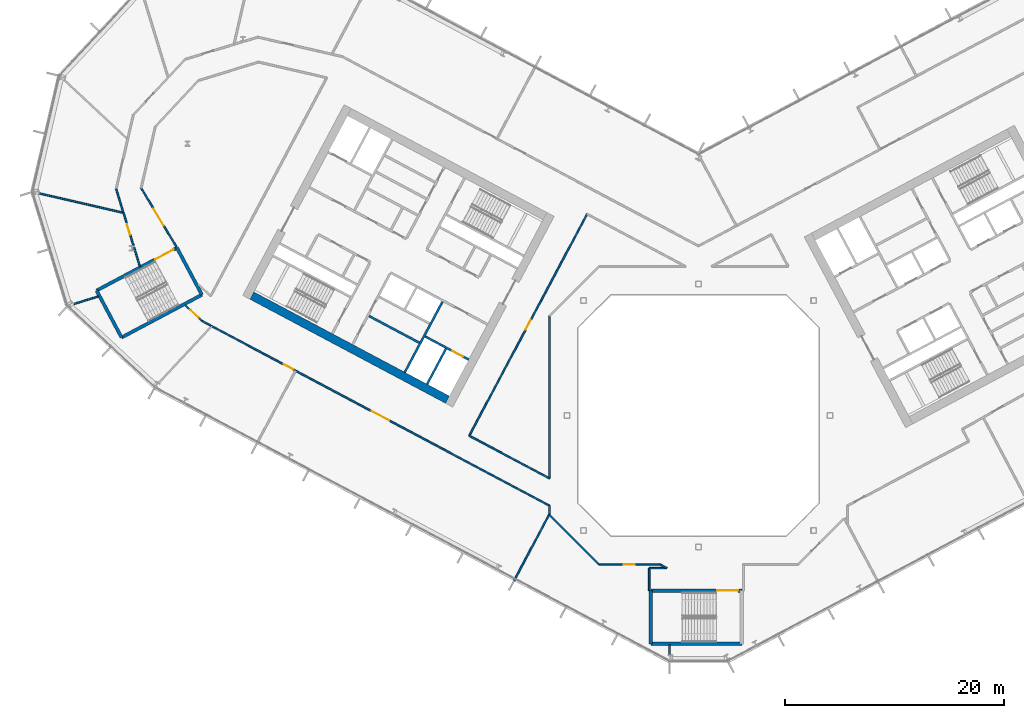
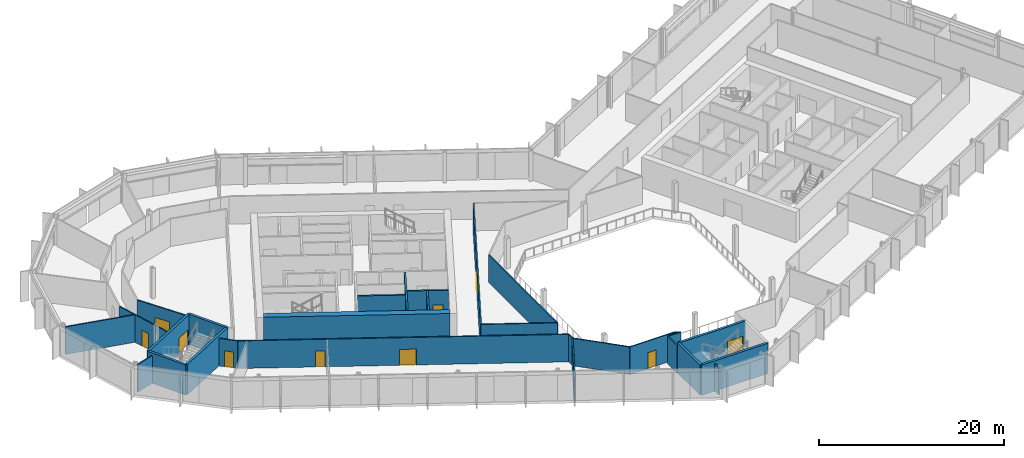
# One storey, part 13 of 28: 32 walls, 10 doors, 10 openings.
"""IFC4 building model written with IfcOpenShell, lengths in metres."""

from ifc_helpers import new_model, si_unit, direction, frame, frame_2d, origin, place, context, subcontext, project, spatial, rectangle, extrude, material, layer, layer_set, type_object, element, fill, save


model = new_model("IFC4")

# Units and contexts
model_context = context("Model", 3, precision=1e-05, world=origin(), true_north=direction((0.0, 1.0)))
body_context = subcontext(model_context, "Body", "Model", "MODEL_VIEW")
ifc_project = project(units=[si_unit("LENGTHUNIT", "METRE"), si_unit("AREAUNIT", "SQUARE_METRE"), si_unit("VOLUMEUNIT", "CUBIC_METRE"), si_unit("PLANEANGLEUNIT", "RADIAN"), si_unit("MASSUNIT", "GRAM", prefix="KILO")], contexts=[model_context])

# Site, building, storey
site_placement = place(None, origin())
site = spatial("IfcSite", under=ifc_project, at=site_placement, CompositionType="ELEMENT")
building_placement = place(site_placement, origin())
building = spatial("IfcBuilding", under=site, at=building_placement, Name="Cormorant Relay Tower", CompositionType="ELEMENT")
storey_placement = place(building_placement, frame((0.0, 0.0, 150.199951171875)))
storey = spatial("IfcBuildingStorey", under=building, at=storey_placement, Name="L31", CompositionType="ELEMENT", Elevation=150.199951171875)

# Walls
ifc_material_1 = material(Name="Concrete 40 MPa", Category="concrete")
ifc_layer_1 = layer(ifc_material_1, 0.199951171875)
ifc_layer_set_1 = layer_set([ifc_layer_1], Name="Core internal wall 200")
wall_type_1 = type_object("IfcWallType", Name="Core internal wall 200", PredefinedType="SOLIDWALL", material=ifc_layer_set_1)
wall_1_placement = place(storey_placement, frame((-25.46728515625, 6.632568359375, 0.0), z_axis=(0.0, 0.0, 1.0), x_axis=(-0.882953967957, 0.469459572775, 0.0)))
element("IfcWall", 1, at=wall_1_placement, inside=storey, type_object=wall_type_1, Name="L31 core A shaft and room wall", PredefinedType="SOLIDWALL", context=body_context, shape_type="SweptSolid", body=[
    extrude(rectangle(XDim=5.199951171875, YDim=0.199951171875, at=frame_2d((2.60009765625, 0.0))), origin(), (0.0, 0.0, 1.0), 4.0),
])
ifc_material_2 = material(Name="Concrete 50 MPa", Category="concrete")
ifc_layer_2 = layer(ifc_material_2, 0.199951171875)
ifc_layer_set_2 = layer_set([ifc_layer_2], Name="Core shaft wall 200")
wall_type_2 = type_object("IfcWallType", Name="Core shaft wall 200", PredefinedType="SHEAR", material=ifc_layer_set_2)
wall_2_placement = place(storey_placement, frame((-23.04296875, 6.07958984375, 0.0), z_axis=(0.0, 0.0, 1.0), x_axis=(-0.469494272526, -0.882935517501, 0.0)))
element("IfcWall", 2, at=wall_2_placement, inside=storey, type_object=wall_type_2, Name="L31 core A shaft wall", PredefinedType="SHEAR", context=body_context, shape_type="SweptSolid", body=[
    extrude(rectangle(XDim=3.64990234375, YDim=0.199951171875, at=frame_2d((1.824951171875, 0.0))), origin(), (0.0, 0.0, 1.0), 4.0),
])
wall_3_placement = place(storey_placement, frame((-23.360107421875, 10.38232421875, 0.0), z_axis=(0.0, 0.0, 1.0), x_axis=(-0.469480409012, -0.88294288918, 0.0)))
element("IfcWall", 3, at=wall_3_placement, inside=storey, type_object=wall_type_2, Name="L31 core A shaft wall", PredefinedType="SHEAR", context=body_context, shape_type="SweptSolid", body=[
    extrude(rectangle(XDim=7.300048828125, YDim=0.199951171875, at=frame_2d((3.64990234375, 0.0))), origin(), (0.0, 0.0, 1.0), 4.0),
])

# Wall, opening, door
wall_4_placement = place(storey_placement, frame((-20.96533203125, 5.088134765625, 0.0), z_axis=(0.0, 0.0, 1.0), x_axis=(-0.882925986334, 0.469512196493, 0.0)))
wall_4 = element("IfcWall", 4, at=wall_4_placement, inside=storey, type_object=wall_type_2, Name="L31 core A shaft wall", PredefinedType="SHEAR", context=body_context, shape_type="SweptSolid", body=[
    extrude(rectangle(XDim=4.5, YDim=0.199951171875, at=frame_2d((2.25, 0.0))), origin(), (0.0, 0.0, 1.0), 4.0),
])
opening_1_placement = place(wall_4_placement, frame((0.60009765625, 0.0, 0.0)))
opening_1 = element("IfcOpeningElement", 5, at=opening_1_placement, cuts=wall_4, Name="Opening LD1-043", PredefinedType="OPENING", context=body_context, shape_type="SweptSolid", body=[
    extrude(rectangle(XDim=1.10009765625, YDim=2.10009765625, at=frame_2d((0.550048828125, 1.050048828125))), frame((0.0, 0.10986328125, 0.0), z_axis=(0.0, -1.0, 0.0), x_axis=(1.0, 0.0, 0.0)), (0.0, 0.0, 1.0), 0.219970703125),
])
ifc_material_3 = material(Name="Stainless steel 316", Category="steel")
door_type_1 = type_object("IfcDoorType", Name="Lift landing door 1100x2100", OperationType="DOUBLE_DOOR_SLIDING", PredefinedType="DOOR", material=ifc_material_3)
door_1_placement = place(opening_1_placement, origin())
door_1 = element("IfcDoor", 6, at=door_1_placement, inside=storey, type_object=door_type_1, Name="FF1 landing door", OperationType="DOUBLE_DOOR_SLIDING", OverallHeight=2.10009765625, OverallWidth=1.10009765625, PredefinedType="DOOR", context=body_context, shape_type="SweptSolid", body=[
    extrude(rectangle(XDim=1.10009765625, YDim=2.10009765625, at=frame_2d((0.550048828125, 1.050048828125))), frame((0.0, 0.02490234375, 0.0), z_axis=(0.0, -1.0, 0.0), x_axis=(1.0, 0.0, 0.0)), (0.0, 0.0, 1.0), 0.050048828125),
])
fill(opening_1, door_1)

# Walls
ifc_material_4 = material(Name="Concrete 60 MPa", Category="concrete")
ifc_layer_3 = layer(ifc_material_4, 0.75)
ifc_layer_set_3 = layer_set([ifc_layer_3], Name="Core wall 750")
wall_type_3 = type_object("IfcWallType", Name="Core wall 750", PredefinedType="SHEAR", material=ifc_layer_set_3)
wall_5_placement = place(storey_placement, frame((-22.90185546875, 1.446044921875, 0.0), z_axis=(0.0, 0.0, 1.0), x_axis=(-0.88294509198, 0.469476266226, 0.0)))
element("IfcWall", 7, at=wall_5_placement, inside=storey, type_object=wall_type_3, Name="L31 core A wall", PredefinedType="SHEAR", context=body_context, shape_type="SweptSolid", body=[
    extrude(rectangle(XDim=20.199951171875, YDim=0.75, at=frame_2d((10.10009765625, 0.0))), origin(), (0.0, 0.0, 1.0), 4.0),
])
ifc_material_5 = material(Name="Gypsum board fire partition")
ifc_layer_4 = layer(ifc_material_5, 0.14990234375)
ifc_layer_set_4 = layer_set([ifc_layer_4], Name="Corridor partition 150 EI 60")
wall_type_4 = type_object("IfcWallType", Name="Corridor partition 150 EI 60", PredefinedType="PARTITIONING", material=ifc_layer_set_4)
wall_6_placement = place(storey_placement, frame((-53.114990234375, 20.658935546875, 0.0), z_axis=(0.0, 0.0, 1.0), x_axis=(0.292062202153, -0.956399325634, 0.0)))
element("IfcWall", 8, at=wall_6_placement, inside=storey, type_object=wall_type_4, Name="wall/L31/part/005", PredefinedType="PARTITIONING", context=body_context, shape_type="SweptSolid", body=[
    extrude(rectangle(XDim=2.221923828125, YDim=0.14990234375, at=frame_2d((1.11083984375, 0.0))), origin(), (0.0, 0.0, 1.0), 3.64013671875),
])
wall_7_placement = place(storey_placement, frame((-50.958984375, 13.60400390625, 0.0), z_axis=(0.0, 0.0, 1.0), x_axis=(-0.292326826569, 0.95631847544, 0.0)))
element("IfcWall", 9, at=wall_7_placement, inside=storey, type_object=wall_type_4, Name="wall/L31/part/006", PredefinedType="PARTITIONING", context=body_context, shape_type="SweptSolid", body=[
    extrude(rectangle(XDim=1.775634765625, YDim=0.14990234375, at=frame_2d((0.8876953125, 0.0))), origin(), (0.0, 0.0, 1.0), 3.64013671875),
])

# Wall, opening, door
wall_8_placement = place(storey_placement, frame((-51.534912109375, 15.489990234375, 0.0), z_axis=(0.0, 0.0, 1.0), x_axis=(-0.292522494411, 0.956258641929, 0.0)))
wall_8 = element("IfcWall", 10, at=wall_8_placement, inside=storey, type_object=wall_type_4, Name="wall/L31/part/007", PredefinedType="PARTITIONING", context=body_context, shape_type="SweptSolid", body=[
    extrude(rectangle(XDim=3.18310546875, YDim=0.14990234375, at=frame_2d((1.591552734375, 0.0))), origin(), (0.0, 0.0, 1.0), 3.64013671875),
])
opening_2_placement = place(wall_8_placement, frame((1.050048828125, 0.0, 0.0)))
opening_2 = element("IfcOpeningElement", 11, at=opening_2_placement, cuts=wall_8, Name="Opening DS-012", PredefinedType="OPENING", context=body_context, shape_type="SweptSolid", body=[
    extrude(rectangle(XDim=1.0, YDim=2.10009765625, at=frame_2d((0.5, 1.050048828125))), frame((0.0, 0.0849609375, 0.0), z_axis=(0.0, -1.0, 0.0), x_axis=(1.0, 0.0, 0.0)), (0.0, 0.0, 1.0), 0.169921875),
])
ifc_material_6 = material(Name="Timber door leaf", Category="wood")
door_type_2 = type_object("IfcDoorType", Name="Suite door 1000x2100", OperationType="SINGLE_SWING_LEFT", PredefinedType="DOOR", material=ifc_material_6)
door_2_placement = place(opening_2_placement, origin())
door_2 = element("IfcDoor", 12, at=door_2_placement, inside=storey, type_object=door_type_2, Name="door/L31/015", OperationType="SINGLE_SWING_LEFT", OverallHeight=2.10009765625, OverallWidth=1.0, PredefinedType="DOOR", context=body_context, shape_type="SweptSolid", body=[
    extrude(rectangle(XDim=1.0, YDim=2.10009765625, at=frame_2d((0.5, 1.050048828125))), frame((0.0, 0.02490234375, 0.0), z_axis=(0.0, -1.0, 0.0), x_axis=(1.0, 0.0, 0.0)), (0.0, 0.0, 1.0), 0.050048828125),
])
fill(opening_2, door_2)

wall_9_placement = place(storey_placement, frame((-47.618896484375, 15.37890625, 0.0), z_axis=(0.0, 0.0, 1.0), x_axis=(-0.515052665436, 0.857158533661, 0.0)))
wall_9 = element("IfcWall", 13, at=wall_9_placement, inside=storey, type_object=wall_type_4, Name="wall/L31/part/015", PredefinedType="PARTITIONING", context=body_context, shape_type="SweptSolid", body=[
    extrude(rectangle(XDim=6.252197265625, YDim=0.14990234375, at=frame_2d((3.1259765625, 0.0))), origin(), (0.0, 0.0, 1.0), 3.64013671875),
])
opening_3_placement = place(wall_9_placement, frame((2.25, 0.0, 0.0)))
opening_3 = element("IfcOpeningElement", 14, at=opening_3_placement, cuts=wall_9, Name="Opening DD-009", PredefinedType="OPENING", context=body_context, shape_type="SweptSolid", body=[
    extrude(rectangle(XDim=1.800048828125, YDim=2.10009765625, at=frame_2d((0.89990234375, 1.050048828125))), frame((0.0, 0.0849609375, 0.0), z_axis=(0.0, -1.0, 0.0), x_axis=(1.0, 0.0, 0.0)), (0.0, 0.0, 1.0), 0.169921875),
])
ifc_material_7 = material(Name="Timber door leaf", Category="wood")
door_type_3 = type_object("IfcDoorType", Name="Suite double door 1800x2100", OperationType="DOUBLE_DOOR_SINGLE_SWING", PredefinedType="DOOR", material=ifc_material_7)
door_3_placement = place(opening_3_placement, frame((1.800048828125, 0.0, 0.0), z_axis=(0.0, 0.0, 1.0), x_axis=(-1.0, 0.0, 0.0)))
door_3 = element("IfcDoor", 15, at=door_3_placement, inside=storey, type_object=door_type_3, Name="door/L31/001", OperationType="DOUBLE_DOOR_SINGLE_SWING", OverallHeight=2.10009765625, OverallWidth=1.800048828125, PredefinedType="DOOR", context=body_context, shape_type="SweptSolid", body=[
    extrude(rectangle(XDim=1.800048828125, YDim=2.10009765625, at=frame_2d((0.89990234375, 1.050048828125))), frame((0.0, 0.02490234375, 0.0), z_axis=(0.0, -1.0, 0.0), x_axis=(1.0, 0.0, 0.0)), (0.0, 0.0, 1.0), 0.050048828125),
])
fill(opening_3, door_3)

# Wall
wall_10_placement = place(storey_placement, frame((-44.4619140625, 8.180908203125, 0.0), z_axis=(0.0, 0.0, 1.0), x_axis=(-0.882750253305, 0.469842516478, 0.0)))
element("IfcWall", 16, at=wall_10_placement, inside=storey, type_object=wall_type_4, Name="wall/L31/part/022", PredefinedType="PARTITIONING", context=body_context, shape_type="SweptSolid", body=[
    extrude(rectangle(XDim=0.934814453125, YDim=0.14990234375, at=frame_2d((0.46728515625, 0.0))), origin(), (0.0, 0.0, 1.0), 3.64013671875),
])

# Wall, opening, door
wall_11_placement = place(storey_placement, frame((-45.287109375, 8.6201171875, 0.0), z_axis=(0.0, 0.0, 1.0), x_axis=(-0.731593637228, 0.681740969846, 0.0)))
wall_11 = element("IfcWall", 17, at=wall_11_placement, inside=storey, type_object=wall_type_4, Name="wall/L31/part/023", PredefinedType="PARTITIONING", context=body_context, shape_type="SweptSolid", body=[
    extrude(rectangle(XDim=2.12548828125, YDim=0.14990234375, at=frame_2d((1.062744140625, 0.0))), origin(), (0.0, 0.0, 1.0), 3.64013671875),
])
opening_4_placement = place(wall_11_placement, frame((0.449951171875, 0.0, 0.0)))
opening_4 = element("IfcOpeningElement", 18, at=opening_4_placement, cuts=wall_11, Name="Opening DS-013", PredefinedType="OPENING", context=body_context, shape_type="SweptSolid", body=[
    extrude(rectangle(XDim=1.0, YDim=2.10009765625, at=frame_2d((0.5, 1.050048828125))), frame((0.0, 0.0849609375, 0.0), z_axis=(0.0, -1.0, 0.0), x_axis=(1.0, 0.0, 0.0)), (0.0, 0.0, 1.0), 0.169921875),
])
door_4_placement = place(opening_4_placement, origin())
door_4 = element("IfcDoor", 19, at=door_4_placement, inside=storey, type_object=door_type_2, Name="door/L31/016", OperationType="SINGLE_SWING_RIGHT", OverallHeight=2.10009765625, OverallWidth=1.0, PredefinedType="DOOR", context=body_context, shape_type="SweptSolid", body=[
    extrude(rectangle(XDim=1.0, YDim=2.10009765625, at=frame_2d((0.5, 1.050048828125))), frame((0.0, 0.02490234375, 0.0), z_axis=(0.0, -1.0, 0.0), x_axis=(1.0, 0.0, 0.0)), (0.0, 0.0, 1.0), 0.050048828125),
])
fill(opening_4, door_4)

# Wall, openings, doors
wall_12_placement = place(storey_placement, frame((-13.60009765625, -8.22802734375, 0.0), z_axis=(0.0, 0.0, 1.0), x_axis=(-0.882954510497, 0.469458552369, 0.0)))
wall_12 = element("IfcWall", 20, at=wall_12_placement, inside=storey, type_object=wall_type_4, Name="wall/L31/part/024", PredefinedType="PARTITIONING", context=body_context, shape_type="SweptSolid", body=[
    extrude(rectangle(XDim=34.952880859375, YDim=0.14990234375, at=frame_2d((17.4765625, 0.0))), origin(), (0.0, 0.0, 1.0), 3.64013671875),
])
opening_5_placement = place(wall_12_placement, frame((26.449951171875, 0.0, 0.0)))
opening_5 = element("IfcOpeningElement", 21, at=opening_5_placement, cuts=wall_12, Name="Opening DS-042", PredefinedType="OPENING", context=body_context, shape_type="SweptSolid", body=[
    extrude(rectangle(XDim=1.0, YDim=2.10009765625, at=frame_2d((0.5, 1.050048828125))), frame((0.0, 0.0849609375, 0.0), z_axis=(0.0, -1.0, 0.0), x_axis=(1.0, 0.0, 0.0)), (0.0, 0.0, 1.0), 0.169921875),
])
opening_6_placement = place(wall_12_placement, frame((16.550048828125, 0.0, 0.0)))
opening_6 = element("IfcOpeningElement", 22, at=opening_6_placement, cuts=wall_12, Name="Opening DD-012", PredefinedType="OPENING", context=body_context, shape_type="SweptSolid", body=[
    extrude(rectangle(XDim=1.800048828125, YDim=2.10009765625, at=frame_2d((0.89990234375, 1.050048828125))), frame((0.0, 0.0849609375, 0.0), z_axis=(0.0, -1.0, 0.0), x_axis=(1.0, 0.0, 0.0)), (0.0, 0.0, 1.0), 0.169921875),
])
door_5_placement = place(opening_5_placement, origin())
door_5 = element("IfcDoor", 23, at=door_5_placement, inside=storey, type_object=door_type_2, Name="door/L31/017", OperationType="SINGLE_SWING_LEFT", OverallHeight=2.10009765625, OverallWidth=1.0, PredefinedType="DOOR", context=body_context, shape_type="SweptSolid", body=[
    extrude(rectangle(XDim=1.0, YDim=2.10009765625, at=frame_2d((0.5, 1.050048828125))), frame((0.0, 0.02490234375, 0.0), z_axis=(0.0, -1.0, 0.0), x_axis=(1.0, 0.0, 0.0)), (0.0, 0.0, 1.0), 0.050048828125),
])
fill(opening_5, door_5)
door_6_placement = place(opening_6_placement, origin())
door_6 = element("IfcDoor", 24, at=door_6_placement, inside=storey, type_object=door_type_3, Name="door/L31/018", OperationType="DOUBLE_DOOR_SINGLE_SWING", OverallHeight=2.10009765625, OverallWidth=1.800048828125, PredefinedType="DOOR", context=body_context, shape_type="SweptSolid", body=[
    extrude(rectangle(XDim=1.800048828125, YDim=2.10009765625, at=frame_2d((0.89990234375, 1.050048828125))), frame((0.0, 0.02490234375, 0.0), z_axis=(0.0, -1.0, 0.0), x_axis=(1.0, 0.0, 0.0)), (0.0, 0.0, 1.0), 0.050048828125),
])
fill(opening_6, door_6)

# Wall
wall_13_placement = place(storey_placement, frame((-13.60009765625, -8.22802734375, 0.0), z_axis=(0.0, 0.0, 1.0), x_axis=(0.0, -1.0, 0.0)))
element("IfcWall", 25, at=wall_13_placement, inside=storey, type_object=wall_type_4, Name="wall/L31/part/035", PredefinedType="PARTITIONING", context=body_context, shape_type="SweptSolid", body=[
    extrude(rectangle(XDim=0.77001953125, YDim=0.14990234375, at=frame_2d((0.385009765625, 0.0))), origin(), (0.0, 0.0, 1.0), 3.64013671875),
])

# Wall, opening, door
wall_14_placement = place(storey_placement, frame((-3.447021484375, -13.60009765625, 0.0), z_axis=(0.0, 0.0, 1.0), x_axis=(-1.0, 0.0, 0.0)))
wall_14 = element("IfcWall", 26, at=wall_14_placement, inside=storey, type_object=wall_type_4, Name="wall/L31/part/038", PredefinedType="PARTITIONING", context=body_context, shape_type="SweptSolid", body=[
    extrude(rectangle(XDim=5.6298828125, YDim=0.14990234375, at=frame_2d((2.81494140625, 0.0))), origin(), (0.0, 0.0, 1.0), 3.64013671875),
])
opening_7_placement = place(wall_14_placement, frame((2.385986328125, 0.0, 0.0)))
opening_7 = element("IfcOpeningElement", 27, at=opening_7_placement, cuts=wall_14, Name="Opening DS-043", PredefinedType="OPENING", context=body_context, shape_type="SweptSolid", body=[
    extrude(rectangle(XDim=1.0, YDim=2.10009765625, at=frame_2d((0.5, 1.050048828125))), frame((0.0, 0.0849609375, 0.0), z_axis=(0.0, -1.0, 0.0), x_axis=(1.0, 0.0, 0.0)), (0.0, 0.0, 1.0), 0.169921875),
])
door_7_placement = place(opening_7_placement, origin())
door_7 = element("IfcDoor", 28, at=door_7_placement, inside=storey, type_object=door_type_2, Name="door/L31/019", OperationType="SINGLE_SWING_LEFT", OverallHeight=2.10009765625, OverallWidth=1.0, PredefinedType="DOOR", context=body_context, shape_type="SweptSolid", body=[
    extrude(rectangle(XDim=1.0, YDim=2.10009765625, at=frame_2d((0.5, 1.050048828125))), frame((0.0, 0.02490234375, 0.0), z_axis=(0.0, -1.0, 0.0), x_axis=(1.0, 0.0, 0.0)), (0.0, 0.0, 1.0), 0.050048828125),
])
fill(opening_7, door_7)

# Walls
wall_15_placement = place(storey_placement, frame((-9.076904296875, -13.60009765625, 0.0), z_axis=(0.0, 0.0, 1.0), x_axis=(-0.707106781187, 0.707106781187, 0.0)))
element("IfcWall", 29, at=wall_15_placement, inside=storey, type_object=wall_type_4, Name="wall/L31/part/039", PredefinedType="PARTITIONING", context=body_context, shape_type="SweptSolid", body=[
    extrude(rectangle(XDim=6.396728515625, YDim=0.14990234375, at=frame_2d((3.1982421875, 0.0))), origin(), (0.0, 0.0, 1.0), 3.64013671875),
])
wall_16_placement = place(storey_placement, frame((-4.5, -15.97509765625, 0.0), z_axis=(0.0, 0.0, 1.0), x_axis=(0.0, 1.0, 0.0)))
element("IfcWall", 30, at=wall_16_placement, inside=storey, type_object=wall_type_4, Name="wall/L31/part/040", PredefinedType="PARTITIONING", context=body_context, shape_type="SweptSolid", body=[
    extrude(rectangle(XDim=2.050048828125, YDim=0.14990234375, at=frame_2d((1.02490234375, 0.0))), origin(), (0.0, 0.0, 1.0), 3.64013671875),
])
wall_17_placement = place(storey_placement, frame((-2.908935546875, -13.925048828125, 0.0), z_axis=(0.0, 0.0, 1.0), x_axis=(-0.999999811638, -0.000613779231, 0.0)))
element("IfcWall", 31, at=wall_17_placement, inside=storey, type_object=wall_type_4, Name="wall/L31/part/041", PredefinedType="PARTITIONING", context=body_context, shape_type="SweptSolid", body=[
    extrude(rectangle(XDim=1.591064453125, YDim=0.14990234375, at=frame_2d((0.79541015625, 0.0))), origin(), (0.0, 0.0, 1.0), 3.64013671875),
])
wall_18_placement = place(storey_placement, frame((-2.885986328125, -13.925048828125, 0.0), z_axis=(0.0, 0.0, 1.0), x_axis=(-0.882928394432, 0.469507667994, 0.0)))
element("IfcWall", 32, at=wall_18_placement, inside=storey, type_object=wall_type_4, Name="wall/L31/part/042", PredefinedType="PARTITIONING", context=body_context, shape_type="SweptSolid", body=[
    extrude(rectangle(XDim=0.692138671875, YDim=0.14990234375, at=frame_2d((0.34619140625, 0.0))), origin(), (0.0, 0.0, 1.0), 3.64013671875),
])

# Wall, opening, door
wall_19_placement = place(storey_placement, frame((-20.9150390625, -1.846923828125, 0.0), z_axis=(0.0, 0.0, 1.0), x_axis=(0.469483365134, 0.882941317338, 0.0)))
wall_19 = element("IfcWall", 33, at=wall_19_placement, inside=storey, type_object=wall_type_4, Name="wall/L31/part/069", PredefinedType="PARTITIONING", context=body_context, shape_type="SweptSolid", body=[
    extrude(rectangle(XDim=22.899658203125, YDim=0.14990234375, at=frame_2d((11.44970703125, 0.0))), origin(), (0.0, 0.0, 1.0), 3.64013671875),
])
opening_8_placement = place(wall_19_placement, frame((10.949951171875, 0.0, 0.0)))
opening_8 = element("IfcOpeningElement", 34, at=opening_8_placement, cuts=wall_19, Name="Opening DS-035", PredefinedType="OPENING", context=body_context, shape_type="SweptSolid", body=[
    extrude(rectangle(XDim=1.0, YDim=2.10009765625, at=frame_2d((0.5, 1.050048828125))), frame((0.0, 0.0849609375, 0.0), z_axis=(0.0, -1.0, 0.0), x_axis=(1.0, 0.0, 0.0)), (0.0, 0.0, 1.0), 0.169921875),
])
door_8_placement = place(opening_8_placement, frame((1.0, 0.0, 0.0), z_axis=(0.0, 0.0, 1.0), x_axis=(-1.0, 0.0, 0.0)))
door_8 = element("IfcDoor", 35, at=door_8_placement, inside=storey, type_object=door_type_2, Name="door/L31/002", OperationType="SINGLE_SWING_LEFT", OverallHeight=2.10009765625, OverallWidth=1.0, PredefinedType="DOOR", context=body_context, shape_type="SweptSolid", body=[
    extrude(rectangle(XDim=1.0, YDim=2.10009765625, at=frame_2d((0.5, 1.050048828125))), frame((0.0, 0.02490234375, 0.0), z_axis=(0.0, -1.0, 0.0), x_axis=(1.0, 0.0, 0.0)), (0.0, 0.0, 1.0), 0.050048828125),
])
fill(opening_8, door_8)

# Walls
wall_20_placement = place(storey_placement, frame((-13.60009765625, 9.076904296875, 0.0), z_axis=(0.0, 0.0, 1.0), x_axis=(0.0, -1.0, 0.0)))
element("IfcWall", 36, at=wall_20_placement, inside=storey, type_object=wall_type_4, Name="wall/L31/part/073", PredefinedType="PARTITIONING", context=body_context, shape_type="SweptSolid", body=[
    extrude(rectangle(XDim=14.81396484375, YDim=0.14990234375, at=frame_2d((7.406982421875, 0.0))), origin(), (0.0, 0.0, 1.0), 3.64013671875),
])
wall_21_placement = place(storey_placement, frame((-13.60009765625, -5.737060546875, 0.0), z_axis=(0.0, 0.0, 1.0), x_axis=(-0.882911898193, 0.469538688533, 0.0)))
element("IfcWall", 37, at=wall_21_placement, inside=storey, type_object=wall_type_4, Name="wall/L31/part/074", PredefinedType="PARTITIONING", context=body_context, shape_type="SweptSolid", body=[
    extrude(rectangle(XDim=8.284912109375, YDim=0.14990234375, at=frame_2d((4.142578125, 0.0))), origin(), (0.0, 0.0, 1.0), 3.64013671875),
])
ifc_material_8 = material(Name="Concrete 50 MPa", Category="concrete")
ifc_layer_5 = layer(ifc_material_8, 0.300048828125)
ifc_layer_set_5 = layer_set([ifc_layer_5], Name="Remote stair wall 300")
wall_type_5 = type_object("IfcWallType", Name="Remote stair wall 300", PredefinedType="SHEAR", material=ifc_layer_set_5)
wall_22_placement = place(storey_placement, frame((3.949951171875, -20.824951171875, 0.0), z_axis=(0.0, 0.0, 1.0), x_axis=(-1.0, 0.0, 0.0)))
element("IfcWall", 38, at=wall_22_placement, inside=storey, type_object=wall_type_5, Name="L31 exit stair RK1 wall", PredefinedType="SHEAR", context=body_context, shape_type="SweptSolid", body=[
    extrude(rectangle(XDim=8.300048828125, YDim=0.300048828125, at=frame_2d((4.14990234375, 0.0))), origin(), (0.0, 0.0, 1.0), 4.0),
])
wall_23_placement = place(storey_placement, frame((-4.35009765625, -20.824951171875, 0.0), z_axis=(0.0, 0.0, 1.0), x_axis=(0.0, 1.0, 0.0)))
element("IfcWall", 39, at=wall_23_placement, inside=storey, type_object=wall_type_5, Name="L31 exit stair RK1 wall", PredefinedType="SHEAR", context=body_context, shape_type="SweptSolid", body=[
    extrude(rectangle(XDim=4.849853515625, YDim=0.300048828125, at=frame_2d((2.4248046875, 0.0))), origin(), (0.0, 0.0, 1.0), 4.0),
])

# Wall, opening, door
wall_24_placement = place(storey_placement, frame((-4.35009765625, -15.97509765625, 0.0), z_axis=(0.0, 0.0, 1.0), x_axis=(1.0, 0.0, 0.0)))
wall_24 = element("IfcWall", 40, at=wall_24_placement, inside=storey, type_object=wall_type_5, Name="L31 exit stair RK1 wall", PredefinedType="SHEAR", context=body_context, shape_type="SweptSolid", body=[
    extrude(rectangle(XDim=8.300048828125, YDim=0.300048828125, at=frame_2d((4.14990234375, 0.0))), origin(), (0.0, 0.0, 1.0), 4.0),
])
opening_9_placement = place(wall_24_placement, frame((6.050048828125, 0.0, 0.0)))
opening_9 = element("IfcOpeningElement", 41, at=opening_9_placement, cuts=wall_24, Name="Opening CDE-012", PredefinedType="OPENING", context=body_context, shape_type="SweptSolid", body=[
    extrude(rectangle(XDim=1.89990234375, YDim=2.10009765625, at=frame_2d((0.949951171875, 1.050048828125))), frame((0.0, 0.159912109375, 0.0), z_axis=(0.0, -1.0, 0.0), x_axis=(1.0, 0.0, 0.0)), (0.0, 0.0, 1.0), 0.320068359375),
])
ifc_material_9 = material(Name="Steel fire door", Category="steel")
door_type_4 = type_object("IfcDoorType", Name="Remote stair door 1900x2100", OperationType="DOUBLE_DOOR_SINGLE_SWING", PredefinedType="DOOR", material=ifc_material_9)
door_9_placement = place(opening_9_placement, frame((1.89990234375, 0.0, 0.0), z_axis=(0.0, 0.0, 1.0), x_axis=(-1.0, 0.0, 0.0)))
door_9 = element("IfcDoor", 42, at=door_9_placement, inside=storey, type_object=door_type_4, Name="Exit stair RK1 door", OperationType="DOUBLE_DOOR_SINGLE_SWING", OverallHeight=2.10009765625, OverallWidth=1.89990234375, PredefinedType="DOOR", context=body_context, shape_type="SweptSolid", body=[
    extrude(rectangle(XDim=1.89990234375, YDim=2.10009765625, at=frame_2d((0.949951171875, 1.050048828125))), frame((0.0, 0.02490234375, 0.0), z_axis=(0.0, -1.0, 0.0), x_axis=(1.0, 0.0, 0.0)), (0.0, 0.0, 1.0), 0.050048828125),
])
fill(opening_9, door_9)

# Walls
wall_25_placement = place(storey_placement, frame((-47.57421875, 15.28955078125, 0.0), z_axis=(0.0, 0.0, 1.0), x_axis=(0.469443498566, -0.882962514297, 0.0)))
element("IfcWall", 43, at=wall_25_placement, inside=storey, type_object=wall_type_5, Name="L31 exit stair RP1 wall", PredefinedType="SHEAR", context=body_context, shape_type="SweptSolid", body=[
    extrude(rectangle(XDim=4.85009765625, YDim=0.300048828125, at=frame_2d((2.425048828125, 0.0))), origin(), (0.0, 0.0, 1.0), 4.0),
])
wall_26_placement = place(storey_placement, frame((-45.29736328125, 11.007080078125, 0.0), z_axis=(0.0, 0.0, 1.0), x_axis=(-0.882951519127, -0.469464178475, 0.0)))
element("IfcWall", 44, at=wall_26_placement, inside=storey, type_object=wall_type_5, Name="L31 exit stair RP1 wall", PredefinedType="SHEAR", context=body_context, shape_type="SweptSolid", body=[
    extrude(rectangle(XDim=8.2998046875, YDim=0.300048828125, at=frame_2d((4.14990234375, 0.0))), origin(), (0.0, 0.0, 1.0), 4.0),
])
wall_27_placement = place(storey_placement, frame((-52.625732421875, 7.110595703125, 0.0), z_axis=(0.0, 0.0, 1.0), x_axis=(-0.469464364128, 0.882951420416, 0.0)))
element("IfcWall", 45, at=wall_27_placement, inside=storey, type_object=wall_type_5, Name="L31 exit stair RP1 wall", PredefinedType="SHEAR", context=body_context, shape_type="SweptSolid", body=[
    extrude(rectangle(XDim=4.849853515625, YDim=0.300048828125, at=frame_2d((2.4248046875, 0.0))), origin(), (0.0, 0.0, 1.0), 4.0),
])

# Wall, opening, door
wall_28_placement = place(storey_placement, frame((-54.902587890625, 11.392822265625, 0.0), z_axis=(0.0, 0.0, 1.0), x_axis=(0.882939326045, 0.469487110071, 0.0)))
wall_28 = element("IfcWall", 46, at=wall_28_placement, inside=storey, type_object=wall_type_5, Name="L31 exit stair RP1 wall", PredefinedType="SHEAR", context=body_context, shape_type="SweptSolid", body=[
    extrude(rectangle(XDim=8.300048828125, YDim=0.300048828125, at=frame_2d((4.14990234375, 0.0))), origin(), (0.0, 0.0, 1.0), 4.0),
])
opening_10_placement = place(wall_28_placement, frame((6.050048828125, 0.0, 0.0)))
opening_10 = element("IfcOpeningElement", 47, at=opening_10_placement, cuts=wall_28, Name="Opening CDE-013", PredefinedType="OPENING", context=body_context, shape_type="SweptSolid", body=[
    extrude(rectangle(XDim=1.89990234375, YDim=2.10009765625, at=frame_2d((0.949951171875, 1.050048828125))), frame((0.0, 0.159912109375, 0.0), z_axis=(0.0, -1.0, 0.0), x_axis=(1.0, 0.0, 0.0)), (0.0, 0.0, 1.0), 0.320068359375),
])
door_10_placement = place(opening_10_placement, frame((1.89990234375, 0.0, 0.0), z_axis=(0.0, 0.0, 1.0), x_axis=(-1.0, 0.0, 0.0)))
door_10 = element("IfcDoor", 48, at=door_10_placement, inside=storey, type_object=door_type_4, Name="Exit stair RP1 door", OperationType="DOUBLE_DOOR_SINGLE_SWING", OverallHeight=2.10009765625, OverallWidth=1.89990234375, PredefinedType="DOOR", context=body_context, shape_type="SweptSolid", body=[
    extrude(rectangle(XDim=1.89990234375, YDim=2.10009765625, at=frame_2d((0.949951171875, 1.050048828125))), frame((0.0, 0.02490234375, 0.0), z_axis=(0.0, -1.0, 0.0), x_axis=(1.0, 0.0, 0.0)), (0.0, 0.0, 1.0), 0.050048828125),
])
fill(opening_10, door_10)

# Walls
ifc_material_10 = material(Name="Gypsum board partition")
ifc_layer_6 = layer(ifc_material_10, 0.14990234375)
ifc_layer_set_6 = layer_set([ifc_layer_6], Name="Tenant partition 150")
wall_type_6 = type_object("IfcWallType", Name="Tenant partition 150", PredefinedType="PARTITIONING", material=ifc_layer_set_6)
wall_29_placement = place(storey_placement, frame((-52.449951171875, 18.48388671875, 0.0), z_axis=(0.0, 0.0, 1.0), x_axis=(-0.974348948829, 0.225042498023, 0.0)))
element("IfcWall", 49, at=wall_29_placement, inside=storey, type_object=wall_type_6, Name="wall/L31/part/001", PredefinedType="PARTITIONING", context=body_context, shape_type="SweptSolid", body=[
    extrude(rectangle(XDim=7.892333984375, YDim=0.14990234375, at=frame_2d((3.9462890625, 0.0))), origin(), (0.0, 0.0, 1.0), 3.64013671875),
])
wall_30_placement = place(storey_placement, frame((-54.73193359375, 10.85693359375, 0.0), z_axis=(0.0, 0.0, 1.0), x_axis=(-0.956196980242, -0.292723991119, 0.0)))
element("IfcWall", 50, at=wall_30_placement, inside=storey, type_object=wall_type_6, Name="wall/L31/part/003", PredefinedType="PARTITIONING", context=body_context, shape_type="SweptSolid", body=[
    extrude(rectangle(XDim=2.343505859375, YDim=0.14990234375, at=frame_2d((1.171875, 0.0))), origin(), (0.0, 0.0, 1.0), 3.64013671875),
])
wall_31_placement = place(storey_placement, frame((-13.60009765625, -8.998046875, 0.0), z_axis=(0.0, 0.0, 1.0), x_axis=(-0.469531053644, -0.882915958438, 0.0)))
element("IfcWall", 51, at=wall_31_placement, inside=storey, type_object=wall_type_6, Name="wall/L31/part/036", PredefinedType="PARTITIONING", context=body_context, shape_type="SweptSolid", body=[
    extrude(rectangle(XDim=6.870361328125, YDim=0.14990234375, at=frame_2d((3.43505859375, 0.0))), origin(), (0.0, 0.0, 1.0), 3.64013671875),
])
wall_32_placement = place(storey_placement, frame((-2.64892578125, -20.925048828125, 0.0), z_axis=(0.0, 0.0, 1.0), x_axis=(0.0, -1.0, 0.0)))
element("IfcWall", 52, at=wall_32_placement, inside=storey, type_object=wall_type_6, Name="wall/L31/part/043", PredefinedType="PARTITIONING", context=body_context, shape_type="SweptSolid", body=[
    extrude(rectangle(XDim=0.90283203125, YDim=0.14990234375, at=frame_2d((0.451416015625, 0.0))), origin(), (0.0, 0.0, 1.0), 3.64013671875),
])

save(model, "model.ifc")
